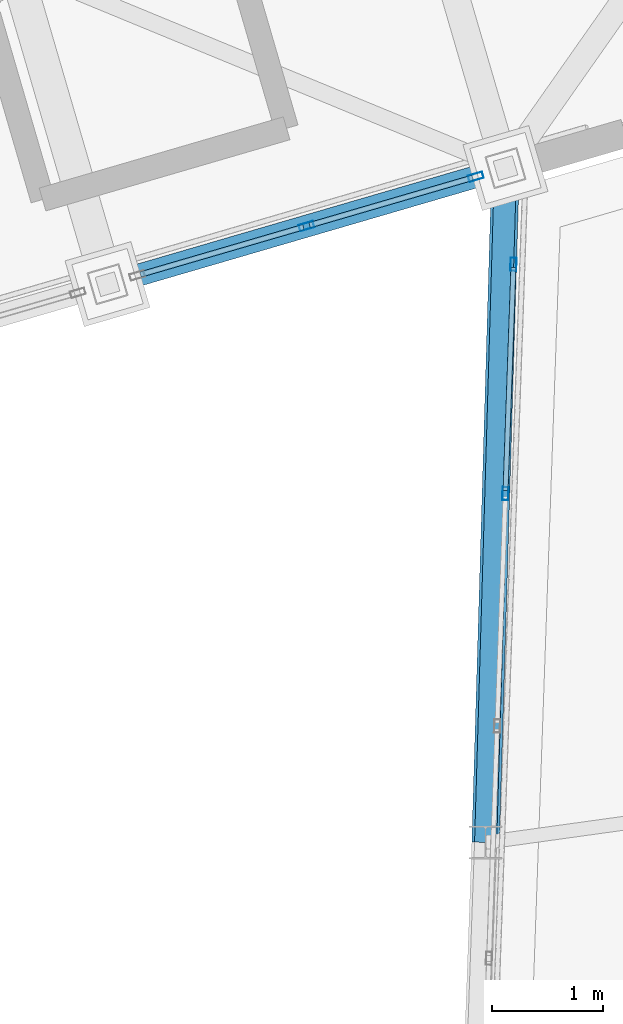
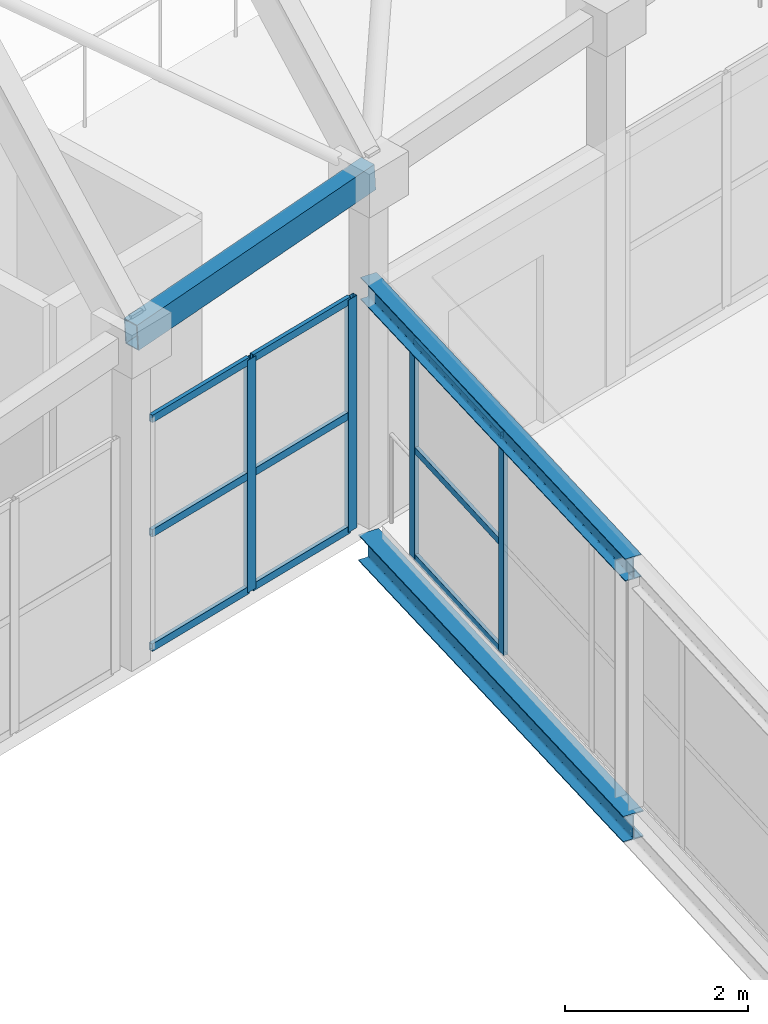
# One storey, part 41 of 248: 15 members, 1 beam, 2 elements without a shape of their own.
"""IFC4 building model written with IfcOpenShell, lengths in metres."""

from ifc_helpers import new_model, si_unit, direction, frame, origin, origin_2d, place, context, subcontext, project, spatial, hollow_rectangle, i_section, extrude, material, layer, layer_set, material_profile, profile_set, type_object, element, aggregate, save


model = new_model("IFC4")

# Units and contexts
model_context = context("Model", 3, precision=1e-05, world=origin(), true_north=direction((0.0, 1.0)))
body_context = subcontext(model_context, "Body", "Model", "MODEL_VIEW")
ifc_project = project(units=[si_unit("LENGTHUNIT", "METRE"), si_unit("AREAUNIT", "SQUARE_METRE"), si_unit("VOLUMEUNIT", "CUBIC_METRE"), si_unit("PLANEANGLEUNIT", "RADIAN"), si_unit("MASSUNIT", "GRAM", prefix="KILO")], contexts=[model_context])

# Site, building, storey
site_placement = place(None, origin())
site = spatial("IfcSite", under=ifc_project, at=site_placement, CompositionType="ELEMENT")
building_placement = place(site_placement, origin())
building = spatial("IfcBuilding", under=site, at=building_placement, Name="Canggui Botanical Conservatory", CompositionType="ELEMENT")
storey_placement = place(building_placement, frame((0.0, 0.0, 5.39990234375)))
storey = spatial("IfcBuildingStorey", under=building, at=storey_placement, Name="L02", CompositionType="ELEMENT", Elevation=5.39990234375)

# Beam
ifc_material_1 = material(Name="Steel Q355C", Category="steel")
ifc_material_profile_1 = material_profile(ifc_material_1, hollow_rectangle(XDim=0.199951171875, YDim=0.35009765625, WallThickness=0.011962890625, at=origin_2d()), Name="RHS 200x350x12")
ifc_profile_set_1 = profile_set([ifc_material_profile_1], Name="Steel Q355C")
beam_type = type_object("IfcBeamType", Name="BM-RING01", PredefinedType="BEAM", material=ifc_profile_set_1)
beam_placement = place(storey_placement, frame((30.800048828125, 45.14990234375, 4.35009765625), z_axis=(0.957867059601, 0.279402253194, 0.066521252562), x_axis=(-0.280022500685, 0.959993437014, 0.0)))
element("IfcBeam", 1, at=beam_placement, inside=storey, type_object=beam_type, Name="Conservatory Perimeter Ring Beam V0-04", PredefinedType="BEAM", context=body_context, shape_type="SweptSolid", body=[
    extrude(hollow_rectangle(XDim=0.199951171875, YDim=0.35009765625, WallThickness=0.011962890625, at=origin_2d()), origin(), (0.0, 0.0, 1.0), 3.75830078125),
])

# Curtain wall, members
ifc_material_2 = material(Name="Thermally Broken Aluminium", Category="aluminium")
ifc_layer_1 = layer(ifc_material_2, 0.135009765625, Name="Thermally Broken Aluminium", Category="aluminium")
ifc_layer_set_1 = layer_set([ifc_layer_1], Name="Thermally Broken Aluminium")
curtain_wall_type_1 = type_object("IfcCurtainWallType", Name="CW-STICK-A", PredefinedType="USERDEFINED", material=ifc_layer_set_1)
curtain_wall_1_placement = place(storey_placement, origin())
curtain_wall_1 = element("IfcCurtainWall", 2, at=curtain_wall_1_placement, inside=storey, type_object=curtain_wall_type_1, Name="Facade Curtain Wall CW-CONS-L02-V0-04", ObjectType="STICK GLAZED WALL", PredefinedType="USERDEFINED")
ifc_material_profile_2 = material_profile(ifc_material_2, hollow_rectangle(XDim=0.06005859375, YDim=0.135009765625, WallThickness=0.00341796875, at=origin_2d()), Name="CWM 60x135x3.5")
ifc_profile_set_2 = profile_set([ifc_material_profile_2], Name="Thermally Broken Aluminium")
member_type_1 = type_object("IfcMemberType", Name="CWM-04", PredefinedType="MULLION", material=ifc_profile_set_2)
member_1_placement = place(storey_placement, frame((34.131103515625, 46.12158203125, 0.0), z_axis=(0.0, 0.0, 1.0), x_axis=(0.279999999995, -0.960000000002, 0.0)))
member_1 = element("IfcMember", 3, at=member_1_placement, type_object=member_type_1, Name="CW-04 mullion 1", PredefinedType="MULLION", context=body_context, shape_type="SweptSolid", body=[
    extrude(hollow_rectangle(XDim=0.06005859375, YDim=0.135009765625, WallThickness=0.00341796875, at=origin_2d()), origin(), (0.0, 0.0, 1.0), 3.10009765625),
])
member_2_placement = place(storey_placement, frame((32.60009765625, 45.675048828125, 0.0), z_axis=(0.0, 0.0, 1.0), x_axis=(0.279999999995, -0.960000000002, 0.0)))
member_2 = element("IfcMember", 4, at=member_2_placement, type_object=member_type_1, Name="CW-04 mullion 2", PredefinedType="MULLION", context=body_context, shape_type="SweptSolid", body=[
    extrude(hollow_rectangle(XDim=0.06005859375, YDim=0.135009765625, WallThickness=0.00341796875, at=origin_2d()), origin(), (0.0, 0.0, 1.0), 3.10009765625),
])

ifc_layer_2 = layer(ifc_material_2, 0.1201171875, Name="Thermally Broken Aluminium", Category="aluminium")
ifc_layer_set_2 = layer_set([ifc_layer_2], Name="Thermally Broken Aluminium")
curtain_wall_type_2 = type_object("IfcCurtainWallType", Name="CW-STICK-B", PredefinedType="USERDEFINED", material=ifc_layer_set_2)
curtain_wall_2_placement = place(storey_placement, origin())
curtain_wall_2 = element("IfcCurtainWall", 5, at=curtain_wall_2_placement, inside=storey, type_object=curtain_wall_type_2, Name="Facade Curtain Wall CW-SB-02-1", ObjectType="STICK GLAZED WALL", PredefinedType="USERDEFINED")
ifc_material_profile_3 = material_profile(ifc_material_2, hollow_rectangle(XDim=0.054931640625, YDim=0.1201171875, WallThickness=0.0029296875, at=origin_2d()), Name="CWM 55x120x3")
ifc_profile_set_3 = profile_set([ifc_material_profile_3], Name="Thermally Broken Aluminium")
member_type_2 = type_object("IfcMemberType", Name="CWM-05", PredefinedType="MULLION", material=ifc_profile_set_3)
member_3_placement = place(storey_placement, frame((34.399169921875, 43.255126953125, 0.0), z_axis=(0.0, 0.0, 1.0), x_axis=(-0.999380084358, 0.035205780606, 0.0)))
member_3 = element("IfcMember", 6, at=member_3_placement, type_object=member_type_2, Name="CW-05 mullion 5", PredefinedType="MULLION", context=body_context, shape_type="SweptSolid", body=[
    extrude(hollow_rectangle(XDim=0.054931640625, YDim=0.1201171875, WallThickness=0.0029296875, at=origin_2d()), origin(), (0.0, 0.0, 1.0), 2.900146484375),
])
member_4_placement = place(storey_placement, frame((34.47216796875, 45.32958984375, 0.0), z_axis=(0.0, 0.0, 1.0), x_axis=(-0.999380084358, 0.035205780606, 0.0)))
member_4 = element("IfcMember", 7, at=member_4_placement, type_object=member_type_2, Name="CW-05 mullion 6", PredefinedType="MULLION", context=body_context, shape_type="SweptSolid", body=[
    extrude(hollow_rectangle(XDim=0.054931640625, YDim=0.1201171875, WallThickness=0.0029296875, at=origin_2d()), origin(), (0.0, 0.0, 1.0), 2.900146484375),
])

# Member
ifc_material_profile_4 = material_profile(ifc_material_2, hollow_rectangle(XDim=0.050048828125, YDim=0.10009765625, WallThickness=0.0029296875, at=origin_2d()), Name="CWT 50x100x3")
ifc_profile_set_4 = profile_set([ifc_material_profile_4], Name="Thermally Broken Aluminium")
member_type_3 = type_object("IfcMemberType", Name="CWT-04", PredefinedType="USERDEFINED", material=ifc_profile_set_4)
member_5_placement = place(storey_placement, frame((34.102294921875, 46.11328125, 0.025146484375), z_axis=(-0.95996614364, -0.28011605285, 0.0), x_axis=(0.28011605285, -0.95996614364, 0.0)))
member_5 = element("IfcMember", 8, at=member_5_placement, type_object=member_type_3, Name="CW-04 transom 1.1", ObjectType="TRANSOM", PredefinedType="USERDEFINED", context=body_context, shape_type="SweptSolid", body=[
    extrude(hollow_rectangle(XDim=0.050048828125, YDim=0.10009765625, WallThickness=0.0029296875, at=origin_2d()), origin(), (0.0, 0.0, 1.0), 1.534912109375),
])

member_6_placement = place(storey_placement, frame((34.102294921875, 46.11328125, 1.550048828125), z_axis=(-0.95996614364, -0.28011605285, 0.0), x_axis=(0.28011605285, -0.95996614364, 0.0)))
member_6 = element("IfcMember", 9, at=member_6_placement, type_object=member_type_3, Name="CW-04 transom 1.2", ObjectType="TRANSOM", PredefinedType="USERDEFINED", context=body_context, shape_type="SweptSolid", body=[
    extrude(hollow_rectangle(XDim=0.050048828125, YDim=0.10009765625, WallThickness=0.0029296875, at=origin_2d()), origin(), (0.0, 0.0, 1.0), 1.534912109375),
])

member_7_placement = place(storey_placement, frame((34.102294921875, 46.11328125, 3.0751953125), z_axis=(-0.95996614364, -0.28011605285, 0.0), x_axis=(0.28011605285, -0.95996614364, 0.0)))
member_7 = element("IfcMember", 10, at=member_7_placement, type_object=member_type_3, Name="CW-04 transom 1.3", ObjectType="TRANSOM", PredefinedType="USERDEFINED", context=body_context, shape_type="SweptSolid", body=[
    extrude(hollow_rectangle(XDim=0.050048828125, YDim=0.10009765625, WallThickness=0.0029296875, at=origin_2d()), origin(), (0.0, 0.0, 1.0), 1.534912109375),
])

member_8_placement = place(storey_placement, frame((32.5712890625, 45.66650390625, 0.025146484375), z_axis=(-0.960021373424, -0.279926709282, 0.0), x_axis=(0.279926709282, -0.960021373424, 0.0)))
member_8 = element("IfcMember", 11, at=member_8_placement, type_object=member_type_3, Name="CW-04 transom 2.1", ObjectType="TRANSOM", PredefinedType="USERDEFINED", context=body_context, shape_type="SweptSolid", body=[
    extrude(hollow_rectangle(XDim=0.050048828125, YDim=0.10009765625, WallThickness=0.0029296875, at=origin_2d()), origin(), (0.0, 0.0, 1.0), 1.534912109375),
])

member_9_placement = place(storey_placement, frame((32.5712890625, 45.66650390625, 1.550048828125), z_axis=(-0.960021373424, -0.279926709282, 0.0), x_axis=(0.279926709282, -0.960021373424, 0.0)))
member_9 = element("IfcMember", 12, at=member_9_placement, type_object=member_type_3, Name="CW-04 transom 2.2", ObjectType="TRANSOM", PredefinedType="USERDEFINED", context=body_context, shape_type="SweptSolid", body=[
    extrude(hollow_rectangle(XDim=0.050048828125, YDim=0.10009765625, WallThickness=0.0029296875, at=origin_2d()), origin(), (0.0, 0.0, 1.0), 1.534912109375),
])

member_10_placement = place(storey_placement, frame((32.5712890625, 45.66650390625, 3.0751953125), z_axis=(-0.960021373424, -0.279926709282, 0.0), x_axis=(0.279926709282, -0.960021373424, 0.0)))
member_10 = element("IfcMember", 13, at=member_10_placement, type_object=member_type_3, Name="CW-04 transom 2.3", ObjectType="TRANSOM", PredefinedType="USERDEFINED", context=body_context, shape_type="SweptSolid", body=[
    extrude(hollow_rectangle(XDim=0.050048828125, YDim=0.10009765625, WallThickness=0.0029296875, at=origin_2d()), origin(), (0.0, 0.0, 1.0), 1.534912109375),
])

aggregate(curtain_wall_1, [member_1, member_2, member_5, member_6, member_7, member_8, member_9, member_10])

ifc_material_profile_5 = material_profile(ifc_material_2, hollow_rectangle(XDim=0.044921875, YDim=0.090087890625, WallThickness=0.0029296875, at=origin_2d()), Name="CWT 45x90x3")
ifc_profile_set_5 = profile_set([ifc_material_profile_5], Name="Thermally Broken Aluminium")
member_type_4 = type_object("IfcMemberType", Name="CWT-05", PredefinedType="USERDEFINED", material=ifc_profile_set_5)
member_11_placement = place(storey_placement, frame((34.400146484375, 43.28271484375, 0.022705078125), z_axis=(0.035161414469, 0.999381646286, 0.0), x_axis=(-0.999381646286, 0.035161414469, 0.0)))
member_11 = element("IfcMember", 14, at=member_11_placement, type_object=member_type_4, Name="CW-05 transom 5.1", ObjectType="TRANSOM", PredefinedType="USERDEFINED", context=body_context, shape_type="SweptSolid", body=[
    extrude(hollow_rectangle(XDim=0.044921875, YDim=0.090087890625, WallThickness=0.0029296875, at=origin_2d()), origin(), (0.0, 0.0, 1.0), 2.0205078125),
])

member_12_placement = place(storey_placement, frame((34.400146484375, 43.28271484375, 1.4501953125), z_axis=(0.035161414469, 0.999381646286, 0.0), x_axis=(-0.999381646286, 0.035161414469, 0.0)))
member_12 = element("IfcMember", 15, at=member_12_placement, type_object=member_type_4, Name="CW-05 transom 5.2", ObjectType="TRANSOM", PredefinedType="USERDEFINED", context=body_context, shape_type="SweptSolid", body=[
    extrude(hollow_rectangle(XDim=0.044921875, YDim=0.090087890625, WallThickness=0.0029296875, at=origin_2d()), origin(), (0.0, 0.0, 1.0), 2.0205078125),
])

member_13_placement = place(storey_placement, frame((34.400146484375, 43.28271484375, 2.877685546875), z_axis=(0.035161414469, 0.999381646286, 0.0), x_axis=(-0.999381646286, 0.035161414469, 0.0)))
member_13 = element("IfcMember", 16, at=member_13_placement, type_object=member_type_4, Name="CW-05 transom 5.3", ObjectType="TRANSOM", PredefinedType="USERDEFINED", context=body_context, shape_type="SweptSolid", body=[
    extrude(hollow_rectangle(XDim=0.044921875, YDim=0.090087890625, WallThickness=0.0029296875, at=origin_2d()), origin(), (0.0, 0.0, 1.0), 2.0205078125),
])

aggregate(curtain_wall_2, [member_3, member_4, member_11, member_12, member_13])

# Members
ifc_material_3 = material(Name="Steel Q355B", Category="steel")
ifc_material_profile_6 = material_profile(ifc_material_3, i_section(OverallWidth=0.25, OverallDepth=0.35009765625, WebThickness=0.009033203125, FlangeThickness=0.013916015625, FilletRadius=0.02001953125, at=origin_2d()), Name="HM 350x250x9x14")
ifc_profile_set_6 = profile_set([ifc_material_profile_6], Name="Steel Q355B")
member_type_5 = type_object("IfcMemberType", Name="MEM-TC03", PredefinedType="CHORD", material=ifc_profile_set_6)
member_14_placement = place(storey_placement, frame((34.219970703125, 40.10009765625, -0.349853515625), z_axis=(0.029484873804, 0.999565226594, 0.0), x_axis=(-0.999565226594, 0.029484873804, 0.0)))
element("IfcMember", 17, at=member_14_placement, inside=storey, type_object=member_type_5, Name="SB-02 Deck Truss Bottom Chord 1.2", PredefinedType="CHORD", context=body_context, shape_type="SweptSolid", body=[
    extrude(i_section(OverallWidth=0.25, OverallDepth=0.35009765625, WebThickness=0.009033203125, FlangeThickness=0.013916015625, FilletRadius=0.02001953125, at=origin_2d()), origin(), (0.0, 0.0, 1.0), 6.1025390625),
])
ifc_material_profile_7 = material_profile(ifc_material_3, i_section(OverallWidth=0.199951171875, OverallDepth=0.300048828125, WebThickness=0.008056640625, FlangeThickness=0.011962890625, FilletRadius=0.01806640625, at=origin_2d()), Name="HM 300x200x8x12")
ifc_profile_set_7 = profile_set([ifc_material_profile_7], Name="Steel Q355B")
member_type_6 = type_object("IfcMemberType", Name="MEM-TC04", PredefinedType="CHORD", material=ifc_profile_set_7)
member_15_placement = place(storey_placement, frame((34.219970703125, 40.10009765625, 3.10009765625), z_axis=(0.029484873804, 0.999565226594, 0.0), x_axis=(-0.999565226594, 0.029484873804, 0.0)))
element("IfcMember", 18, at=member_15_placement, inside=storey, type_object=member_type_6, Name="SB-02 Roof Truss Top Chord 1.2", PredefinedType="CHORD", context=body_context, shape_type="SweptSolid", body=[
    extrude(i_section(OverallWidth=0.199951171875, OverallDepth=0.300048828125, WebThickness=0.008056640625, FlangeThickness=0.011962890625, FilletRadius=0.01806640625, at=origin_2d()), origin(), (0.0, 0.0, 1.0), 6.1025390625),
])

save(model, "model.ifc")
